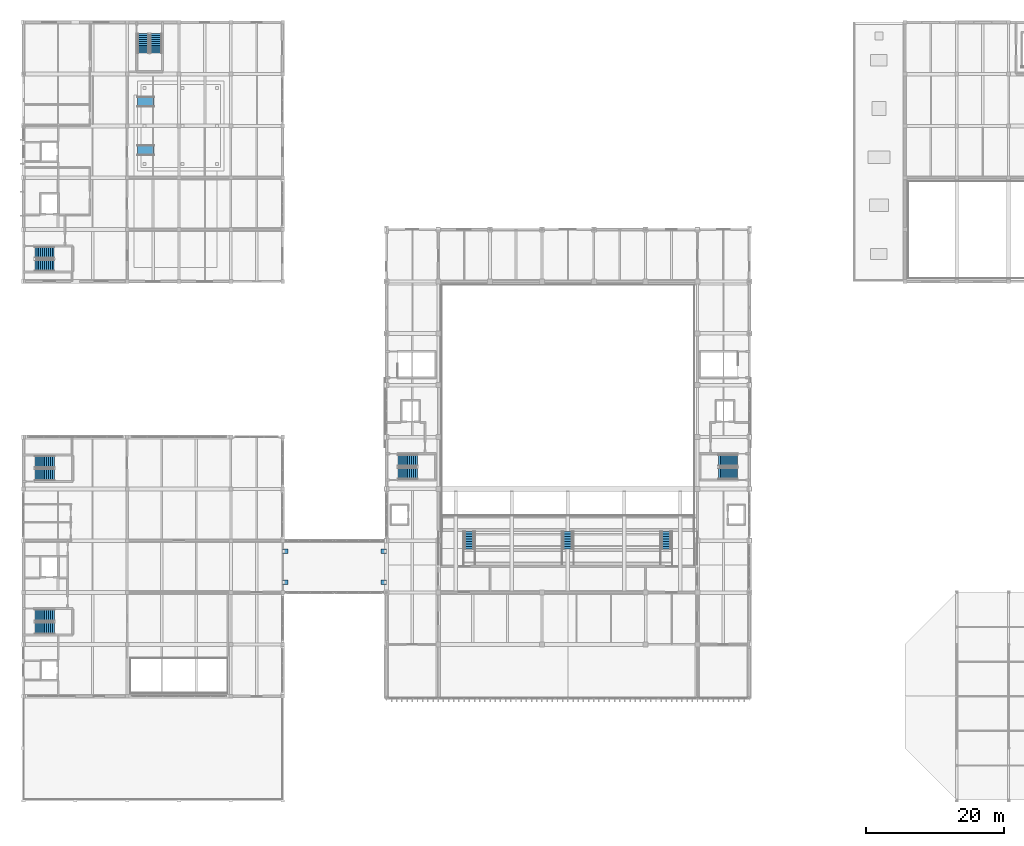
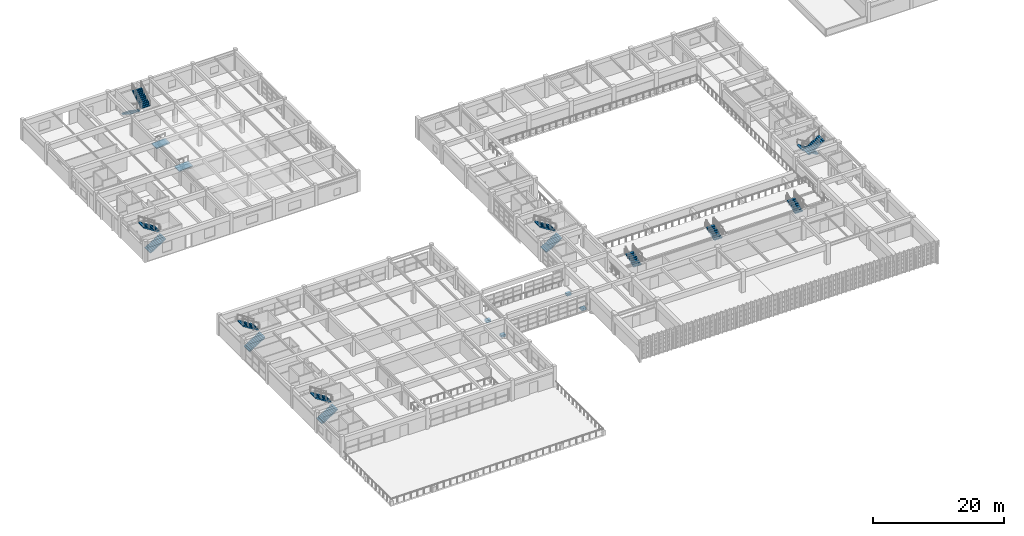
# One storey, part 83 of 101: 15 stair flights, 4 discrete accessories, 2 ramp flights, 11 elements without a shape of their own.
"""IFC4 building model written with IfcOpenShell, lengths in metres."""

from ifc_helpers import new_model, si_unit, direction, frame, origin, origin_2d, place, context, subcontext, project, spatial, polyline, rectangle, outline, extrude, material, layer, layer_set, type_object, element, aggregate, save


model = new_model("IFC4")

# Units and contexts
model_context = context("Model", 3, precision=1e-05, world=origin(), true_north=direction((0.0, 1.0)))
body_context = subcontext(model_context, "Body", "Model", "MODEL_VIEW")
ifc_project = project(units=[si_unit("LENGTHUNIT", "METRE"), si_unit("AREAUNIT", "SQUARE_METRE"), si_unit("VOLUMEUNIT", "CUBIC_METRE"), si_unit("PLANEANGLEUNIT", "RADIAN"), si_unit("MASSUNIT", "GRAM", prefix="KILO")], contexts=[model_context])

# Site, building, storey
site_placement = place(None, origin())
site = spatial("IfcSite", under=ifc_project, at=site_placement, CompositionType="ELEMENT")
building_placement = place(site_placement, origin())
building = spatial("IfcBuilding", under=site, at=building_placement, Name="Qasida Concert Hall", CompositionType="ELEMENT")
storey_placement = place(building_placement, frame((0.0, 0.0, 13.199951171875)))
storey = spatial("IfcBuildingStorey", under=building, at=storey_placement, Name="L03", CompositionType="ELEMENT", Elevation=13.199951171875)

# Stair, stair flights
ifc_material_1 = material(Name="Concrete C40/50", Category="concrete")
stair_type_1 = type_object("IfcStairType", Name="ST-DL-165", PredefinedType="HALF_TURN_STAIR", material=ifc_material_1)
stair_1_placement = place(storey_placement, origin())
stair_1 = element("IfcStair", 1, at=stair_1_placement, inside=storey, type_object=stair_type_1, Name="L03 Exit stair ST-05", PredefinedType="HALF_TURN_STAIR")
stair_flight_type_1 = type_object("IfcStairFlightType", Name="SF-DL-165", PredefinedType="STRAIGHT", material=ifc_material_1)
stair_flight_1_placement = place(storey_placement, frame((1.64990234375, 77.324951171875, 0.0), z_axis=(0.0, 0.0, 1.0), x_axis=(1.0, 0.0, 0.0)))
stair_flight_1 = element("IfcStairFlight", 2, at=stair_flight_1_placement, type_object=stair_flight_type_1, Name="ST-05 flight 1", NumberOfRisers=11, NumberOfTreads=10, PredefinedType="STRAIGHT", RiserHeight=0.177272727, TreadLength=0.28, context=body_context, shape_type="SweptSolid", body=[
    extrude(outline(polyline([(0.0, 0.0), (0.0, 0.17724609375), (0.280029296875, 0.17724609375), (0.280029296875, 0.3544921875), (0.56005859375, 0.3544921875), (0.56005859375, 0.53173828125), (0.840087890625, 0.53173828125), (0.840087890625, 0.708984375), (1.1201171875, 0.708984375), (1.1201171875, 0.886474609375), (1.39990234375, 0.886474609375), (1.39990234375, 1.063720703125), (1.679931640625, 1.063720703125), (1.679931640625, 1.240966796875), (1.9599609375, 1.240966796875), (1.9599609375, 1.418212890625), (2.239990234375, 1.418212890625), (2.239990234375, 1.595458984375), (2.52001953125, 1.595458984375), (2.52001953125, 1.772705078125), (2.800048828125, 1.772705078125), (2.800048828125, 1.949951171875), (2.800048828125, 1.58349609375), (0.298828125, 0.0), (0.0, 0.0)])), frame((0.0, 0.824951171875, 0.0), z_axis=(0.0, -1.0, 0.0), x_axis=(1.0, 0.0, 0.0)), (0.0, 0.0, 1.0), 1.64990234375),
])
stair_flight_2_placement = place(storey_placement, frame((4.449951171875, 79.175048828125, 1.949951171875), z_axis=(0.0, 0.0, 1.0), x_axis=(-1.0, 0.0, 0.0)))
stair_flight_2 = element("IfcStairFlight", 3, at=stair_flight_2_placement, type_object=stair_flight_type_1, Name="ST-05 flight 2", NumberOfRisers=11, NumberOfTreads=10, PredefinedType="STRAIGHT", RiserHeight=0.177272727, TreadLength=0.28, context=body_context, shape_type="SweptSolid", body=[
    extrude(outline(polyline([(0.0, 0.0), (0.0, 0.17724609375), (0.280029296875, 0.17724609375), (0.280029296875, 0.3544921875), (0.56005859375, 0.3544921875), (0.56005859375, 0.53173828125), (0.840087890625, 0.53173828125), (0.840087890625, 0.708984375), (1.1201171875, 0.708984375), (1.1201171875, 0.886474609375), (1.39990234375, 0.886474609375), (1.39990234375, 1.063720703125), (1.679931640625, 1.063720703125), (1.679931640625, 1.240966796875), (1.9599609375, 1.240966796875), (1.9599609375, 1.418212890625), (2.239990234375, 1.418212890625), (2.239990234375, 1.595458984375), (2.52001953125, 1.595458984375), (2.52001953125, 1.772705078125), (2.800048828125, 1.772705078125), (2.800048828125, 1.949951171875), (2.800048828125, 1.58349609375), (0.298828125, 0.0), (0.0, 0.0)])), frame((0.0, 0.824951171875, 0.0), z_axis=(0.0, -1.0, 0.0), x_axis=(1.0, 0.0, 0.0)), (0.0, 0.0, 1.0), 1.64990234375),
])
aggregate(stair_1, [stair_flight_1, stair_flight_2])

stair_2_placement = place(storey_placement, origin())
stair_2 = element("IfcStair", 4, at=stair_2_placement, inside=storey, type_object=stair_type_1, Name="L03 Exit stair ST-06", PredefinedType="HALF_TURN_STAIR")
stair_flight_3_placement = place(storey_placement, frame((17.324951171875, 110.85009765625, 0.0), z_axis=(0.0, 0.0, 1.0), x_axis=(0.0, -1.0, 0.0)))
stair_flight_3 = element("IfcStairFlight", 5, at=stair_flight_3_placement, type_object=stair_flight_type_1, Name="ST-06 flight 1", NumberOfRisers=11, NumberOfTreads=10, PredefinedType="STRAIGHT", RiserHeight=0.177272727, TreadLength=0.28, context=body_context, shape_type="SweptSolid", body=[
    extrude(outline(polyline([(0.0, 0.0), (0.0, 0.17724609375), (0.280029296875, 0.17724609375), (0.280029296875, 0.3544921875), (0.56005859375, 0.3544921875), (0.56005859375, 0.53173828125), (0.840087890625, 0.53173828125), (0.840087890625, 0.708984375), (1.1201171875, 0.708984375), (1.1201171875, 0.886474609375), (1.39990234375, 0.886474609375), (1.39990234375, 1.063720703125), (1.679931640625, 1.063720703125), (1.679931640625, 1.240966796875), (1.9599609375, 1.240966796875), (1.9599609375, 1.418212890625), (2.239990234375, 1.418212890625), (2.239990234375, 1.595458984375), (2.52001953125, 1.595458984375), (2.52001953125, 1.772705078125), (2.800048828125, 1.772705078125), (2.800048828125, 1.949951171875), (2.800048828125, 1.58349609375), (0.298828125, 0.0), (0.0, 0.0)])), frame((0.0, 0.824951171875, 0.0), z_axis=(0.0, -1.0, 0.0), x_axis=(1.0, 0.0, 0.0)), (0.0, 0.0, 1.0), 1.64990234375),
])
stair_flight_4_placement = place(storey_placement, frame((19.175048828125, 108.050048828125, 1.949951171875), z_axis=(0.0, 0.0, 1.0), x_axis=(0.0, 1.0, 0.0)))
stair_flight_4 = element("IfcStairFlight", 6, at=stair_flight_4_placement, type_object=stair_flight_type_1, Name="ST-06 flight 2", NumberOfRisers=11, NumberOfTreads=10, PredefinedType="STRAIGHT", RiserHeight=0.177272727, TreadLength=0.28, context=body_context, shape_type="SweptSolid", body=[
    extrude(outline(polyline([(0.0, 0.0), (0.0, 0.17724609375), (0.280029296875, 0.17724609375), (0.280029296875, 0.3544921875), (0.56005859375, 0.3544921875), (0.56005859375, 0.53173828125), (0.840087890625, 0.53173828125), (0.840087890625, 0.708984375), (1.1201171875, 0.708984375), (1.1201171875, 0.886474609375), (1.39990234375, 0.886474609375), (1.39990234375, 1.063720703125), (1.679931640625, 1.063720703125), (1.679931640625, 1.240966796875), (1.9599609375, 1.240966796875), (1.9599609375, 1.418212890625), (2.239990234375, 1.418212890625), (2.239990234375, 1.595458984375), (2.52001953125, 1.595458984375), (2.52001953125, 1.772705078125), (2.800048828125, 1.772705078125), (2.800048828125, 1.949951171875), (2.800048828125, 1.58349609375), (0.298828125, 0.0), (0.0, 0.0)])), frame((0.0, 0.824951171875, 0.0), z_axis=(0.0, -1.0, 0.0), x_axis=(1.0, 0.0, 0.0)), (0.0, 0.0, 1.0), 1.64990234375),
])
aggregate(stair_2, [stair_flight_3, stair_flight_4])

stair_type_2 = type_object("IfcStairType", Name="ST-DL-168", PredefinedType="HALF_TURN_STAIR", material=ifc_material_1)
stair_3_placement = place(storey_placement, origin())
stair_3 = element("IfcStair", 7, at=stair_3_placement, inside=storey, type_object=stair_type_2, Name="L03 Exit stair ST-01", PredefinedType="HALF_TURN_STAIR")
stair_flight_type_2 = type_object("IfcStairFlightType", Name="SF-DL-168", PredefinedType="STRAIGHT", material=ifc_material_1)
stair_flight_5_placement = place(storey_placement, frame((54.179931640625, 47.239990234375, 0.0), z_axis=(0.0, 0.0, 1.0), x_axis=(1.0, 0.0, 0.0)))
stair_flight_5 = element("IfcStairFlight", 8, at=stair_flight_5_placement, type_object=stair_flight_type_2, Name="ST-01 flight 1", NumberOfRisers=11, NumberOfTreads=10, PredefinedType="STRAIGHT", RiserHeight=0.177272727, TreadLength=0.28, context=body_context, shape_type="SweptSolid", body=[
    extrude(outline(polyline([(0.0, 0.0), (0.0, 0.17724609375), (0.280029296875, 0.17724609375), (0.280029296875, 0.3544921875), (0.56005859375, 0.3544921875), (0.56005859375, 0.53173828125), (0.840087890625, 0.53173828125), (0.840087890625, 0.708984375), (1.1201171875, 0.708984375), (1.1201171875, 0.886474609375), (1.39990234375, 0.886474609375), (1.39990234375, 1.063720703125), (1.679931640625, 1.063720703125), (1.679931640625, 1.240966796875), (1.9599609375, 1.240966796875), (1.9599609375, 1.418212890625), (2.239990234375, 1.418212890625), (2.239990234375, 1.595458984375), (2.52001953125, 1.595458984375), (2.52001953125, 1.772705078125), (2.800048828125, 1.772705078125), (2.800048828125, 1.949951171875), (2.800048828125, 1.58349609375), (0.298828125, 0.0), (0.0, 0.0)])), frame((0.0, 0.83984375, 0.0), z_axis=(0.0, -1.0, 0.0), x_axis=(1.0, 0.0, 0.0)), (0.0, 0.0, 1.0), 1.679931640625),
])
stair_flight_6_placement = place(storey_placement, frame((56.97998046875, 49.1201171875, 1.949951171875), z_axis=(0.0, 0.0, 1.0), x_axis=(-1.0, 0.0, 0.0)))
stair_flight_6 = element("IfcStairFlight", 9, at=stair_flight_6_placement, type_object=stair_flight_type_2, Name="ST-01 flight 2", NumberOfRisers=11, NumberOfTreads=10, PredefinedType="STRAIGHT", RiserHeight=0.177272727, TreadLength=0.28, context=body_context, shape_type="SweptSolid", body=[
    extrude(outline(polyline([(0.0, 0.0), (0.0, 0.17724609375), (0.280029296875, 0.17724609375), (0.280029296875, 0.3544921875), (0.56005859375, 0.3544921875), (0.56005859375, 0.53173828125), (0.840087890625, 0.53173828125), (0.840087890625, 0.708984375), (1.1201171875, 0.708984375), (1.1201171875, 0.886474609375), (1.39990234375, 0.886474609375), (1.39990234375, 1.063720703125), (1.679931640625, 1.063720703125), (1.679931640625, 1.240966796875), (1.9599609375, 1.240966796875), (1.9599609375, 1.418212890625), (2.239990234375, 1.418212890625), (2.239990234375, 1.595458984375), (2.52001953125, 1.595458984375), (2.52001953125, 1.772705078125), (2.800048828125, 1.772705078125), (2.800048828125, 1.949951171875), (2.800048828125, 1.58349609375), (0.298828125, 0.0), (0.0, 0.0)])), frame((0.0, 0.83984375, 0.0), z_axis=(0.0, -1.0, 0.0), x_axis=(1.0, 0.0, 0.0)), (0.0, 0.0, 1.0), 1.679931640625),
])
aggregate(stair_3, [stair_flight_5, stair_flight_6])

stair_4_placement = place(storey_placement, origin())
stair_4 = element("IfcStair", 10, at=stair_4_placement, inside=storey, type_object=stair_type_2, Name="L03 Exit stair ST-02", PredefinedType="HALF_TURN_STAIR")
stair_flight_7_placement = place(storey_placement, frame((103.320068359375, 49.1201171875, 0.0), z_axis=(0.0, 0.0, 1.0), x_axis=(-1.0, 0.0, 0.0)))
stair_flight_7 = element("IfcStairFlight", 11, at=stair_flight_7_placement, type_object=stair_flight_type_2, Name="ST-02 flight 1", NumberOfRisers=11, NumberOfTreads=10, PredefinedType="STRAIGHT", RiserHeight=0.177272727, TreadLength=0.28, context=body_context, shape_type="SweptSolid", body=[
    extrude(outline(polyline([(0.0, 0.0), (0.0, 0.17724609375), (0.280029296875, 0.17724609375), (0.280029296875, 0.3544921875), (0.56005859375, 0.3544921875), (0.56005859375, 0.53173828125), (0.840087890625, 0.53173828125), (0.840087890625, 0.708984375), (1.1201171875, 0.708984375), (1.1201171875, 0.886474609375), (1.39990234375, 0.886474609375), (1.39990234375, 1.063720703125), (1.679931640625, 1.063720703125), (1.679931640625, 1.240966796875), (1.9599609375, 1.240966796875), (1.9599609375, 1.418212890625), (2.239990234375, 1.418212890625), (2.239990234375, 1.595458984375), (2.52001953125, 1.595458984375), (2.52001953125, 1.772705078125), (2.800048828125, 1.772705078125), (2.800048828125, 1.949951171875), (2.800048828125, 1.58349609375), (0.298828125, 0.0), (0.0, 0.0)])), frame((0.0, 0.83984375, 0.0), z_axis=(0.0, -1.0, 0.0), x_axis=(1.0, 0.0, 0.0)), (0.0, 0.0, 1.0), 1.679931640625),
])
stair_flight_8_placement = place(storey_placement, frame((100.52001953125, 47.239990234375, 1.949951171875), z_axis=(0.0, 0.0, 1.0), x_axis=(1.0, 0.0, 0.0)))
stair_flight_8 = element("IfcStairFlight", 12, at=stair_flight_8_placement, type_object=stair_flight_type_2, Name="ST-02 flight 2", NumberOfRisers=11, NumberOfTreads=10, PredefinedType="STRAIGHT", RiserHeight=0.177272727, TreadLength=0.28, context=body_context, shape_type="SweptSolid", body=[
    extrude(outline(polyline([(0.0, 0.0), (0.0, 0.17724609375), (0.280029296875, 0.17724609375), (0.280029296875, 0.3544921875), (0.56005859375, 0.3544921875), (0.56005859375, 0.53173828125), (0.840087890625, 0.53173828125), (0.840087890625, 0.708984375), (1.1201171875, 0.708984375), (1.1201171875, 0.886474609375), (1.39990234375, 0.886474609375), (1.39990234375, 1.063720703125), (1.679931640625, 1.063720703125), (1.679931640625, 1.240966796875), (1.9599609375, 1.240966796875), (1.9599609375, 1.418212890625), (2.239990234375, 1.418212890625), (2.239990234375, 1.595458984375), (2.52001953125, 1.595458984375), (2.52001953125, 1.772705078125), (2.800048828125, 1.772705078125), (2.800048828125, 1.949951171875), (2.800048828125, 1.58349609375), (0.298828125, 0.0), (0.0, 0.0)])), frame((0.0, 0.83984375, 0.0), z_axis=(0.0, -1.0, 0.0), x_axis=(1.0, 0.0, 0.0)), (0.0, 0.0, 1.0), 1.679931640625),
])
aggregate(stair_4, [stair_flight_7, stair_flight_8])

stair_5_placement = place(storey_placement, origin())
stair_5 = element("IfcStair", 13, at=stair_5_placement, inside=storey, type_object=stair_type_2, Name="L03 Exit stair ST-03", PredefinedType="HALF_TURN_STAIR")
stair_flight_9_placement = place(storey_placement, frame((1.679931640625, 24.840087890625, 0.0), z_axis=(0.0, 0.0, 1.0), x_axis=(1.0, 0.0, 0.0)))
stair_flight_9 = element("IfcStairFlight", 14, at=stair_flight_9_placement, type_object=stair_flight_type_2, Name="ST-03 flight 1", NumberOfRisers=11, NumberOfTreads=10, PredefinedType="STRAIGHT", RiserHeight=0.177272727, TreadLength=0.28, context=body_context, shape_type="SweptSolid", body=[
    extrude(outline(polyline([(0.0, 0.0), (0.0, 0.17724609375), (0.280029296875, 0.17724609375), (0.280029296875, 0.3544921875), (0.56005859375, 0.3544921875), (0.56005859375, 0.53173828125), (0.840087890625, 0.53173828125), (0.840087890625, 0.708984375), (1.1201171875, 0.708984375), (1.1201171875, 0.886474609375), (1.39990234375, 0.886474609375), (1.39990234375, 1.063720703125), (1.679931640625, 1.063720703125), (1.679931640625, 1.240966796875), (1.9599609375, 1.240966796875), (1.9599609375, 1.418212890625), (2.239990234375, 1.418212890625), (2.239990234375, 1.595458984375), (2.52001953125, 1.595458984375), (2.52001953125, 1.772705078125), (2.800048828125, 1.772705078125), (2.800048828125, 1.949951171875), (2.800048828125, 1.58349609375), (0.298828125, 0.0), (0.0, 0.0)])), frame((0.0, 0.83984375, 0.0), z_axis=(0.0, -1.0, 0.0), x_axis=(1.0, 0.0, 0.0)), (0.0, 0.0, 1.0), 1.679931640625),
])
stair_flight_10_placement = place(storey_placement, frame((4.47998046875, 26.719970703125, 1.949951171875), z_axis=(0.0, 0.0, 1.0), x_axis=(-1.0, 0.0, 0.0)))
stair_flight_10 = element("IfcStairFlight", 15, at=stair_flight_10_placement, type_object=stair_flight_type_2, Name="ST-03 flight 2", NumberOfRisers=11, NumberOfTreads=10, PredefinedType="STRAIGHT", RiserHeight=0.177272727, TreadLength=0.28, context=body_context, shape_type="SweptSolid", body=[
    extrude(outline(polyline([(0.0, 0.0), (0.0, 0.17724609375), (0.280029296875, 0.17724609375), (0.280029296875, 0.3544921875), (0.56005859375, 0.3544921875), (0.56005859375, 0.53173828125), (0.840087890625, 0.53173828125), (0.840087890625, 0.708984375), (1.1201171875, 0.708984375), (1.1201171875, 0.886474609375), (1.39990234375, 0.886474609375), (1.39990234375, 1.063720703125), (1.679931640625, 1.063720703125), (1.679931640625, 1.240966796875), (1.9599609375, 1.240966796875), (1.9599609375, 1.418212890625), (2.239990234375, 1.418212890625), (2.239990234375, 1.595458984375), (2.52001953125, 1.595458984375), (2.52001953125, 1.772705078125), (2.800048828125, 1.772705078125), (2.800048828125, 1.949951171875), (2.800048828125, 1.58349609375), (0.298828125, 0.0), (0.0, 0.0)])), frame((0.0, 0.83984375, 0.0), z_axis=(0.0, -1.0, 0.0), x_axis=(1.0, 0.0, 0.0)), (0.0, 0.0, 1.0), 1.679931640625),
])
aggregate(stair_5, [stair_flight_9, stair_flight_10])

stair_6_placement = place(storey_placement, origin())
stair_6 = element("IfcStair", 16, at=stair_6_placement, inside=storey, type_object=stair_type_2, Name="L03 Exit stair ST-04", PredefinedType="HALF_TURN_STAIR")
stair_flight_11_placement = place(storey_placement, frame((1.679931640625, 47.0400390625, 0.0), z_axis=(0.0, 0.0, 1.0), x_axis=(1.0, 0.0, 0.0)))
stair_flight_11 = element("IfcStairFlight", 17, at=stair_flight_11_placement, type_object=stair_flight_type_2, Name="ST-04 flight 1", NumberOfRisers=11, NumberOfTreads=10, PredefinedType="STRAIGHT", RiserHeight=0.177272727, TreadLength=0.28, context=body_context, shape_type="SweptSolid", body=[
    extrude(outline(polyline([(0.0, 0.0), (0.0, 0.17724609375), (0.280029296875, 0.17724609375), (0.280029296875, 0.3544921875), (0.56005859375, 0.3544921875), (0.56005859375, 0.53173828125), (0.840087890625, 0.53173828125), (0.840087890625, 0.708984375), (1.1201171875, 0.708984375), (1.1201171875, 0.886474609375), (1.39990234375, 0.886474609375), (1.39990234375, 1.063720703125), (1.679931640625, 1.063720703125), (1.679931640625, 1.240966796875), (1.9599609375, 1.240966796875), (1.9599609375, 1.418212890625), (2.239990234375, 1.418212890625), (2.239990234375, 1.595458984375), (2.52001953125, 1.595458984375), (2.52001953125, 1.772705078125), (2.800048828125, 1.772705078125), (2.800048828125, 1.949951171875), (2.800048828125, 1.58349609375), (0.298828125, 0.0), (0.0, 0.0)])), frame((0.0, 0.83984375, 0.0), z_axis=(0.0, -1.0, 0.0), x_axis=(1.0, 0.0, 0.0)), (0.0, 0.0, 1.0), 1.679931640625),
])
stair_flight_12_placement = place(storey_placement, frame((4.47998046875, 48.919921875, 1.949951171875), z_axis=(0.0, 0.0, 1.0), x_axis=(-1.0, 0.0, 0.0)))
stair_flight_12 = element("IfcStairFlight", 18, at=stair_flight_12_placement, type_object=stair_flight_type_2, Name="ST-04 flight 2", NumberOfRisers=11, NumberOfTreads=10, PredefinedType="STRAIGHT", RiserHeight=0.177272727, TreadLength=0.28, context=body_context, shape_type="SweptSolid", body=[
    extrude(outline(polyline([(0.0, 0.0), (0.0, 0.17724609375), (0.280029296875, 0.17724609375), (0.280029296875, 0.3544921875), (0.56005859375, 0.3544921875), (0.56005859375, 0.53173828125), (0.840087890625, 0.53173828125), (0.840087890625, 0.708984375), (1.1201171875, 0.708984375), (1.1201171875, 0.886474609375), (1.39990234375, 0.886474609375), (1.39990234375, 1.063720703125), (1.679931640625, 1.063720703125), (1.679931640625, 1.240966796875), (1.9599609375, 1.240966796875), (1.9599609375, 1.418212890625), (2.239990234375, 1.418212890625), (2.239990234375, 1.595458984375), (2.52001953125, 1.595458984375), (2.52001953125, 1.772705078125), (2.800048828125, 1.772705078125), (2.800048828125, 1.949951171875), (2.800048828125, 1.58349609375), (0.298828125, 0.0), (0.0, 0.0)])), frame((0.0, 0.83984375, 0.0), z_axis=(0.0, -1.0, 0.0), x_axis=(1.0, 0.0, 0.0)), (0.0, 0.0, 1.0), 1.679931640625),
])
aggregate(stair_6, [stair_flight_11, stair_flight_12])

# Stair, stair flight
stair_type_3 = type_object("IfcStairType", Name="ST-VM-140", PredefinedType="STRAIGHT_RUN_STAIR", material=ifc_material_1)
stair_7_placement = place(storey_placement, origin())
stair_7 = element("IfcStair", 19, at=stair_7_placement, inside=storey, type_object=stair_type_3, Name="Vomitory stepped aisle stair ST-V04", PredefinedType="STRAIGHT_RUN_STAIR")
stair_flight_type_3 = type_object("IfcStairFlightType", Name="SF-VM-140", PredefinedType="STRAIGHT", material=ifc_material_1)
stair_flight_13_placement = place(storey_placement, frame((64.5, 36.280029296875, 0.0), z_axis=(0.0, 0.0, 1.0), x_axis=(0.0, 1.0, 0.0)))
stair_flight_13 = element("IfcStairFlight", 20, at=stair_flight_13_placement, type_object=stair_flight_type_3, Name="ST-V04 flight 1", NumberOfRisers=8, NumberOfTreads=7, PredefinedType="STRAIGHT", RiserHeight=0.15, TreadLength=0.36, context=body_context, shape_type="SweptSolid", body=[
    extrude(outline(polyline([(0.0, 0.0), (0.0, 0.14990234375), (0.360107421875, 0.14990234375), (0.360107421875, 0.300048828125), (0.719970703125, 0.300048828125), (0.719970703125, 0.449951171875), (1.080078125, 0.449951171875), (1.080078125, 0.60009765625), (1.43994140625, 0.60009765625), (1.43994140625, 0.75), (1.800048828125, 0.75), (1.800048828125, 0.89990234375), (2.159912109375, 0.89990234375), (2.159912109375, 1.050048828125), (2.52001953125, 1.050048828125), (2.52001953125, 1.199951171875), (2.52001953125, 0.876708984375), (0.415771484375, 0.0), (0.0, 0.0)])), frame((0.0, 0.699951171875, 0.0), z_axis=(0.0, -1.0, 0.0), x_axis=(1.0, 0.0, 0.0)), (0.0, 0.0, 1.0), 1.39990234375),
])
aggregate(stair_7, [stair_flight_13])

stair_8_placement = place(storey_placement, origin())
stair_8 = element("IfcStair", 21, at=stair_8_placement, inside=storey, type_object=stair_type_3, Name="Vomitory stepped aisle stair ST-V05", PredefinedType="STRAIGHT_RUN_STAIR")
stair_flight_14_placement = place(storey_placement, frame((93.0, 36.280029296875, 0.0), z_axis=(0.0, 0.0, 1.0), x_axis=(0.0, 1.0, 0.0)))
stair_flight_14 = element("IfcStairFlight", 22, at=stair_flight_14_placement, type_object=stair_flight_type_3, Name="ST-V05 flight 1", NumberOfRisers=8, NumberOfTreads=7, PredefinedType="STRAIGHT", RiserHeight=0.15, TreadLength=0.36, context=body_context, shape_type="SweptSolid", body=[
    extrude(outline(polyline([(0.0, 0.0), (0.0, 0.14990234375), (0.360107421875, 0.14990234375), (0.360107421875, 0.300048828125), (0.719970703125, 0.300048828125), (0.719970703125, 0.449951171875), (1.080078125, 0.449951171875), (1.080078125, 0.60009765625), (1.43994140625, 0.60009765625), (1.43994140625, 0.75), (1.800048828125, 0.75), (1.800048828125, 0.89990234375), (2.159912109375, 0.89990234375), (2.159912109375, 1.050048828125), (2.52001953125, 1.050048828125), (2.52001953125, 1.199951171875), (2.52001953125, 0.876708984375), (0.415771484375, 0.0), (0.0, 0.0)])), frame((0.0, 0.699951171875, 0.0), z_axis=(0.0, -1.0, 0.0), x_axis=(1.0, 0.0, 0.0)), (0.0, 0.0, 1.0), 1.39990234375),
])
aggregate(stair_8, [stair_flight_14])

stair_9_placement = place(storey_placement, origin())
stair_9 = element("IfcStair", 23, at=stair_9_placement, inside=storey, type_object=stair_type_3, Name="Vomitory stepped aisle stair ST-V06", PredefinedType="STRAIGHT_RUN_STAIR")
stair_flight_15_placement = place(storey_placement, frame((78.75, 36.280029296875, 0.0), z_axis=(0.0, 0.0, 1.0), x_axis=(0.0, 1.0, 0.0)))
stair_flight_15 = element("IfcStairFlight", 24, at=stair_flight_15_placement, type_object=stair_flight_type_3, Name="ST-V06 flight 1", NumberOfRisers=8, NumberOfTreads=7, PredefinedType="STRAIGHT", RiserHeight=0.15, TreadLength=0.36, context=body_context, shape_type="SweptSolid", body=[
    extrude(outline(polyline([(0.0, 0.0), (0.0, 0.14990234375), (0.360107421875, 0.14990234375), (0.360107421875, 0.300048828125), (0.719970703125, 0.300048828125), (0.719970703125, 0.449951171875), (1.080078125, 0.449951171875), (1.080078125, 0.60009765625), (1.43994140625, 0.60009765625), (1.43994140625, 0.75), (1.800048828125, 0.75), (1.800048828125, 0.89990234375), (2.159912109375, 0.89990234375), (2.159912109375, 1.050048828125), (2.52001953125, 1.050048828125), (2.52001953125, 1.199951171875), (2.52001953125, 0.876708984375), (0.415771484375, 0.0), (0.0, 0.0)])), frame((0.0, 0.699951171875, 0.0), z_axis=(0.0, -1.0, 0.0), x_axis=(1.0, 0.0, 0.0)), (0.0, 0.0, 1.0), 1.39990234375),
])
aggregate(stair_9, [stair_flight_15])

# Ramp, ramp flight
ramp_type = type_object("IfcRampType", Name="RMP-ACC-150", PredefinedType="STRAIGHT_RUN_RAMP", material=ifc_material_1)
ramp_1_placement = place(storey_placement, origin())
ramp_1 = element("IfcRamp", 25, at=ramp_1_placement, inside=storey, type_object=ramp_type, Name="Recording studio south accessible ramp", PredefinedType="STRAIGHT_RUN_RAMP")
ifc_layer = layer(ifc_material_1, 0.159912109375, Name="Concrete C40/50")
ifc_layer_set = layer_set([ifc_layer], Name="Concrete C40/50")
ramp_flight_type = type_object("IfcRampFlightType", Name="RMF-ACC-150", PredefinedType="STRAIGHT", material=ifc_layer_set)
ramp_flight_1_placement = place(storey_placement, frame((16.5, 93.25, 0.0), z_axis=(-0.074764728906, 0.0, 0.997201201018), x_axis=(0.997201201018, 0.0, 0.074764728906)))
ramp_flight_1 = element("IfcRampFlight", 26, at=ramp_flight_1_placement, type_object=ramp_flight_type, Name="Recording studio south accessible ramp flight", PredefinedType="STRAIGHT", context=body_context, shape_type="SweptSolid", body=[
    extrude(outline(polyline([(0.0, 0.0), (2.4066380398461975, 0.0), (2.4066380398461975, 1.5), (0.0, 1.5), (0.0, 0.0)])), origin(), (0.0, 0.0, -1.0), 0.159912109375),
])
aggregate(ramp_1, [ramp_flight_1])

ramp_2_placement = place(storey_placement, origin())
ramp_2 = element("IfcRamp", 27, at=ramp_2_placement, inside=storey, type_object=ramp_type, Name="Recording studio north accessible ramp", PredefinedType="STRAIGHT_RUN_RAMP")
ramp_flight_2_placement = place(storey_placement, frame((16.5, 100.25, 0.0), z_axis=(-0.074764728906, 0.0, 0.997201201018), x_axis=(0.997201201018, 0.0, 0.074764728906)))
ramp_flight_2 = element("IfcRampFlight", 28, at=ramp_flight_2_placement, type_object=ramp_flight_type, Name="Recording studio north accessible ramp flight", PredefinedType="STRAIGHT", context=body_context, shape_type="SweptSolid", body=[
    extrude(outline(polyline([(0.0, 0.0), (2.4066380398461975, 0.0), (2.4066380398461975, 1.5), (0.0, 1.5), (0.0, 0.0)])), origin(), (0.0, 0.0, -1.0), 0.159912109375),
])
aggregate(ramp_2, [ramp_flight_2])

# Discrete accessories
ifc_material_2 = material(Name="Concrete C50/60", Category="concrete")
discrete_accessory_type = type_object("IfcDiscreteAccessoryType", Name="ACC-CORBEL-800", PredefinedType="BRACKET", material=ifc_material_2)
for number, where, z_axis, x_axis, name in (
    (29, (37.89990234375, 31.5, -0.81982421875), (0.0, 0.0, 1.0), (1.0, 0.0, 0.0), "Seismic bridge corbel seat CB-800-013"),
    (30, (37.89990234375, 36.0, -0.81982421875), (0.0, 0.0, 1.0), (1.0, 0.0, 0.0), "Seismic bridge corbel seat CB-800-014"),
    (31, (52.10009765625, 31.5, -0.81982421875), (0.0, 0.0, 1.0), (1.0, 0.0, 0.0), "Seismic bridge corbel seat CB-800-015"),
    (32, (52.10009765625, 36.0, -0.81982421875), (0.0, 0.0, 1.0), (1.0, 0.0, 0.0), "Seismic bridge corbel seat CB-800-016"),
):
    element("IfcDiscreteAccessory", number, at=place(storey_placement, frame(where, z_axis=z_axis, x_axis=x_axis)), inside=storey, type_object=discrete_accessory_type, Name=name, PredefinedType="BRACKET", context=body_context, shape_type="SweptSolid", body=[
        extrude(rectangle(XDim=0.800048828125, YDim=0.64990234375, at=origin_2d()), origin(), (0.0, 0.0, 1.0), 0.419921875),
    ])

save(model, "model.ifc")
